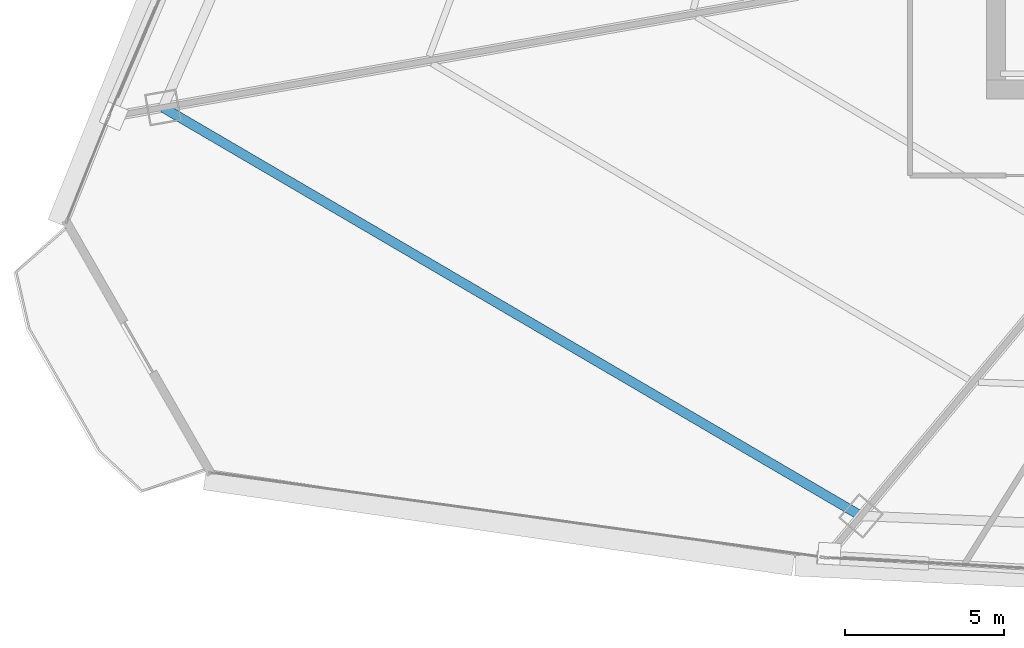
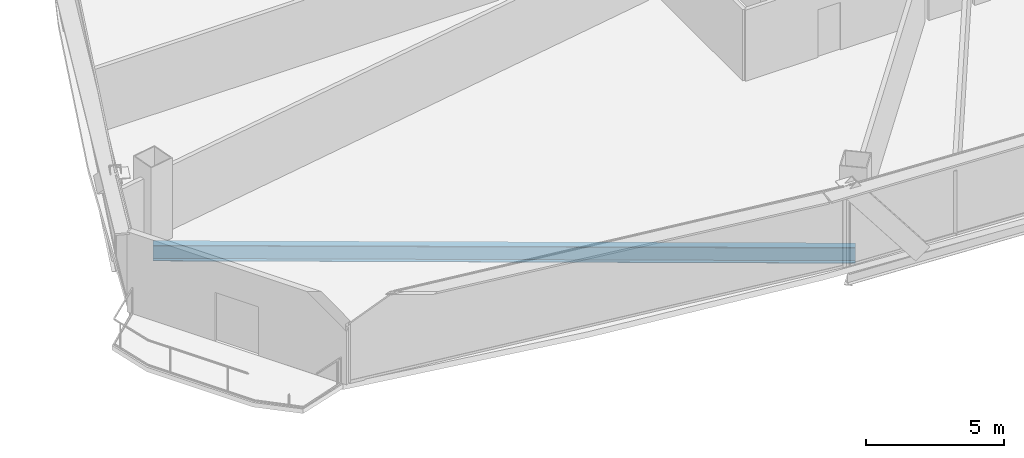
# One storey, part 5 of 36: 1 beam.
"""IFC4 building model written with IfcOpenShell, lengths in metres."""

from ifc_helpers import new_model, si_unit, direction, frame, origin, origin_2d, place, context, subcontext, project, spatial, i_section, extrude, source, transform, mapped, material, material_profile, profile_set, type_object, element, save


model = new_model("IFC4")

# Units and contexts
model_context = context("Model", 3, precision=1e-05, world=origin(), true_north=direction((0.0, 1.0)))
body_context = subcontext(model_context, "Body", "Model", "MODEL_VIEW")
ifc_project = project(units=[si_unit("LENGTHUNIT", "METRE"), si_unit("AREAUNIT", "SQUARE_METRE"), si_unit("VOLUMEUNIT", "CUBIC_METRE"), si_unit("PLANEANGLEUNIT", "RADIAN"), si_unit("MASSUNIT", "GRAM", prefix="KILO"), si_unit("THERMODYNAMICTEMPERATUREUNIT", "KELVIN"), si_unit("POWERUNIT", "WATT")], contexts=[model_context])

# Site, building, storey
site_placement = place(None, origin())
site = spatial("IfcSite", under=ifc_project, at=site_placement, CompositionType="ELEMENT")
building_placement = place(site_placement, origin())
building = spatial("IfcBuilding", under=site, at=building_placement, Name="Yunzhuo Pagoda Commons", CompositionType="ELEMENT")
storey_placement = place(building_placement, frame((0.0, 0.0, 107.780029296875)))
storey = spatial("IfcBuildingStorey", under=building, at=storey_placement, Name="L27", CompositionType="ELEMENT", Elevation=107.780029296875)

# Beam
ifc_material = material(Name="Structural steel Q355B", Category="steel")
ifc_material_profile = material_profile(ifc_material, i_section(OverallWidth=0.300048828125, OverallDepth=0.699951171875, WebThickness=0.012939453125, FlangeThickness=0.02392578125, at=origin_2d()), Name="Structural steel Q355B")
ifc_profile_set = profile_set([ifc_material_profile], Name="Structural steel Q355B")
beam_type = type_object("IfcBeamType", Name="B-RG1 Beam HN 700x300x13x24", PredefinedType="BEAM", material=ifc_profile_set)
shared_shape = source(origin(), body_context, "Body", "SweptSolid", [
    extrude(i_section(OverallWidth=0.300048828125, OverallDepth=0.699951171875, WebThickness=0.012939453125, FlangeThickness=0.02392578125, at=origin_2d()), origin(), (0.0, 0.0, 1.0), 25.3935546875),
])
beam_placement = place(storey_placement, frame((9.647216796875, 26.9375, -0.610107421875), z_axis=(0.863085207128, -0.505058338449, 0.0), x_axis=(0.505058338449, 0.863085207128, 0.0)))
element("IfcBeam", 1, at=beam_placement, inside=storey, type_object=beam_type, Name="L27 column-ring beam 12", PredefinedType="BEAM", context=body_context, shape_type="MappedRepresentation", body=[
    mapped(shared_shape, transform((0.0, 0.0, 0.0), scale=1.0)),
])

save(model, "model.ifc")
